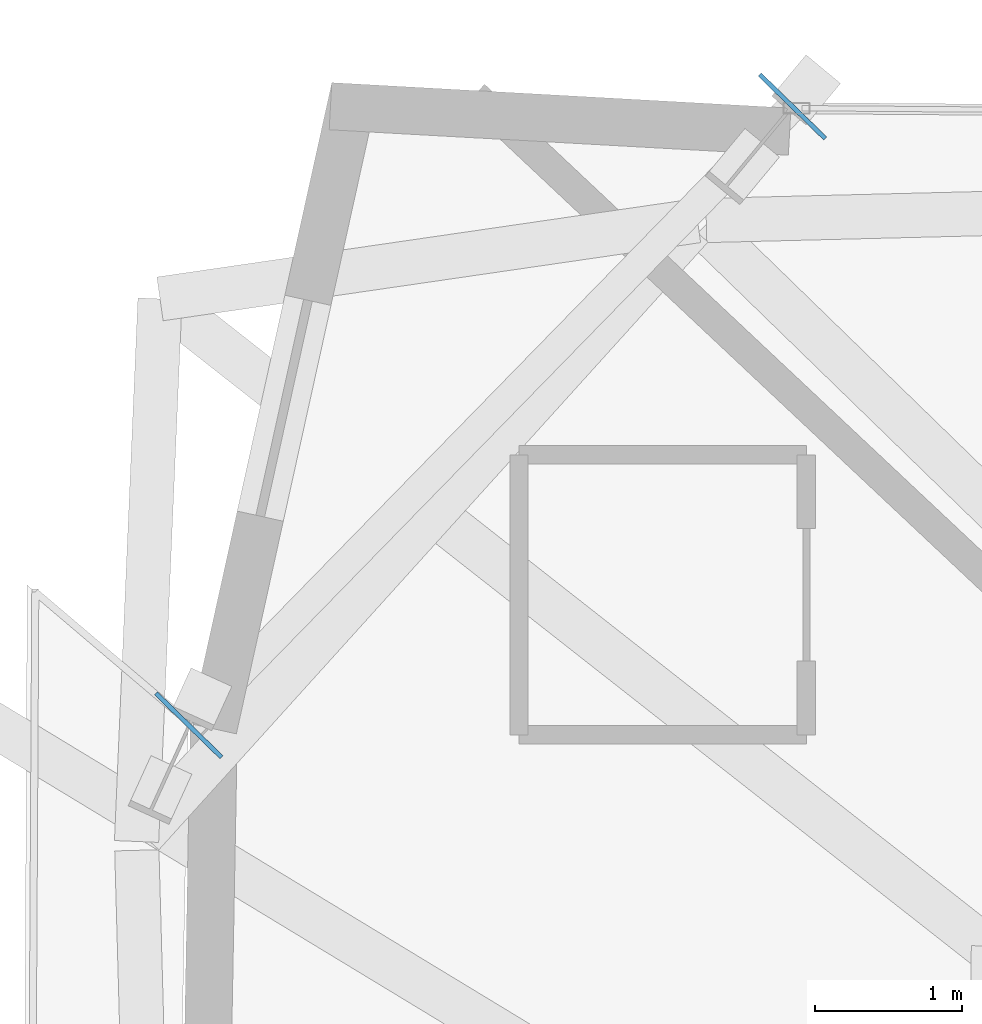
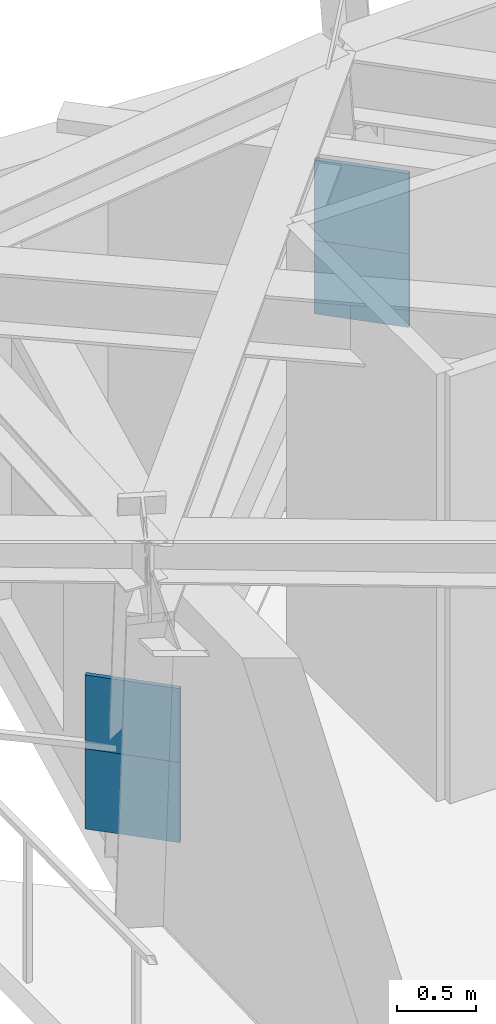
# One storey, part 13 of 22: 4 plates.
"""IFC4 building model written with IfcOpenShell, lengths in metres."""

from ifc_helpers import new_model, si_unit, direction, frame, origin, origin_2d, place, context, subcontext, project, spatial, rectangle, extrude, source, transform, mapped, material, type_object, element, save


model = new_model("IFC4")

# Units and contexts
model_context = context("Model", 3, precision=1e-05, world=origin(), true_north=direction((0.0, 1.0)))
body_context = subcontext(model_context, "Body", "Model", "MODEL_VIEW")
ifc_project = project(units=[si_unit("LENGTHUNIT", "METRE"), si_unit("AREAUNIT", "SQUARE_METRE"), si_unit("VOLUMEUNIT", "CUBIC_METRE"), si_unit("PLANEANGLEUNIT", "RADIAN"), si_unit("MASSUNIT", "GRAM", prefix="KILO")], contexts=[model_context])

# Site, building, storey
site_placement = place(None, origin())
site = spatial("IfcSite", under=ifc_project, at=site_placement, CompositionType="ELEMENT")
building_placement = place(site_placement, origin())
building = spatial("IfcBuilding", under=site, at=building_placement, Name="Olszyna Solenne Hotel", CompositionType="ELEMENT")
storey_placement = place(building_placement, frame((0.0, 0.0, 95.050048828125)))
storey = spatial("IfcBuildingStorey", under=building, at=storey_placement, Name="L24", CompositionType="ELEMENT", Elevation=95.050048828125)

# Plates
ifc_material = material(Name="Steel S460M", Category="steel")
plate_type = type_object("IfcPlateType", Name="GP-CAP2", PredefinedType="USERDEFINED", material=ifc_material)
shared_shape = source(origin(), body_context, "Body", "SweptSolid", [
    extrude(rectangle(XDim=0.030029296875, YDim=0.6201171875, at=origin_2d()), origin(), (0.0, 0.0, 1.0), 0.6201171875),
])
for number, where, z_axis, x_axis, name in (
    (1, (21.3642578125, 44.169189453125, 1.039794921875), (0.0, 0.0, 1.0), (-0.698415285431, -0.715692733704, 0.0), "Hollow section end-cap plate GP-CAP2 CP-PR-M-L24-PR1-1"),
    (2, (17.26806640625, 39.9716796875, 1.039794921875), (0.0, 0.0, 1.0), (-0.698415285431, -0.715692733704, 0.0), "Hollow section end-cap plate GP-CAP2 CP-PR-M-L24-PR1-2"),
    (3, (21.3642578125, 44.169189453125, 0.469970703125), (0.0, 0.0, 1.0), (-0.698415285431, -0.715692733704, 0.0), "Hollow section end-cap plate GP-CAP2 CP-PR-M-L24-PR2-1"),
    (4, (17.26806640625, 39.9716796875, 0.469970703125), (0.0, 0.0, 1.0), (-0.698415285431, -0.715692733704, 0.0), "Hollow section end-cap plate GP-CAP2 CP-PR-M-L24-PR2-2"),
):
    element("IfcPlate", number, at=place(storey_placement, frame(where, z_axis=z_axis, x_axis=x_axis)), inside=storey, type_object=plate_type, Name=name, ObjectType="GUSSET_PLATE", PredefinedType="USERDEFINED", context=body_context, shape_type="MappedRepresentation", body=[
        mapped(shared_shape, transform((0.0, 0.0, 0.0), x_axis=(1.0, 0.0, 0.0), y_axis=(0.0, 1.0, 0.0), z_axis=(0.0, 0.0, 1.0), scale=1.0)),
    ])

save(model, "model.ifc")
